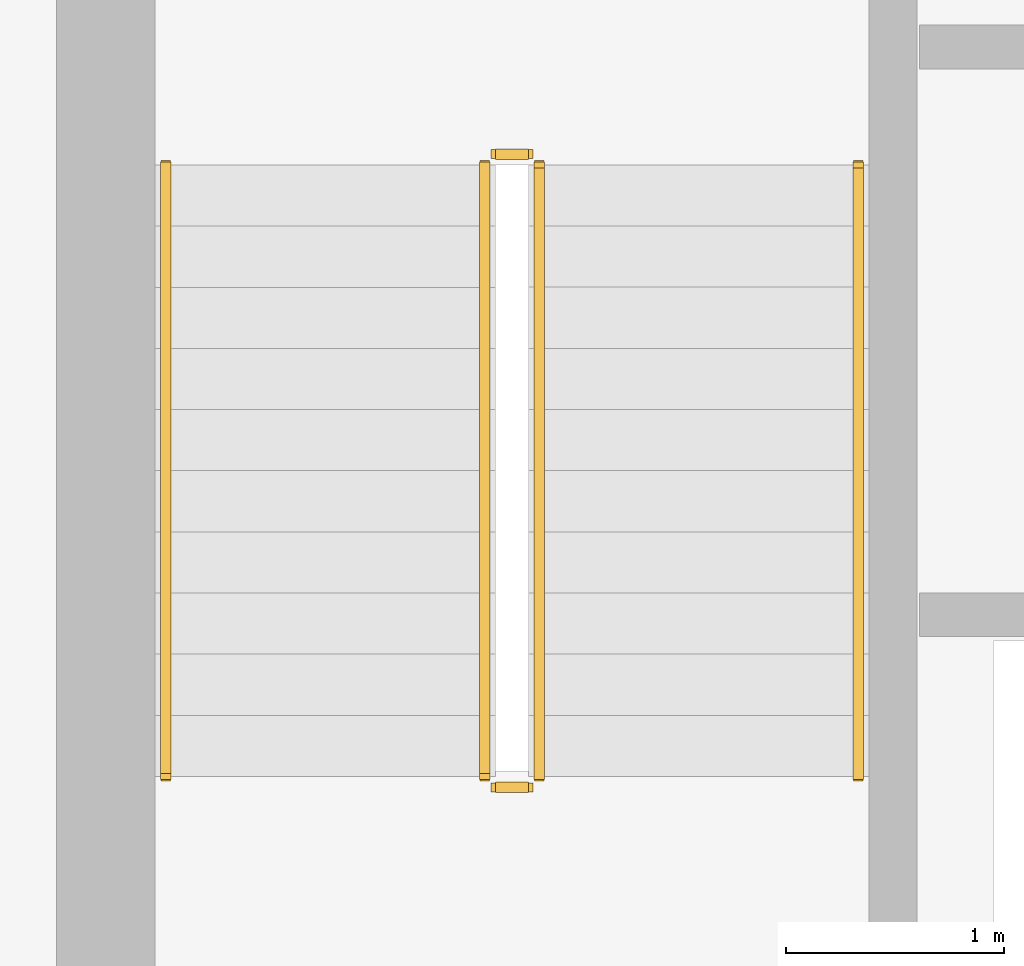
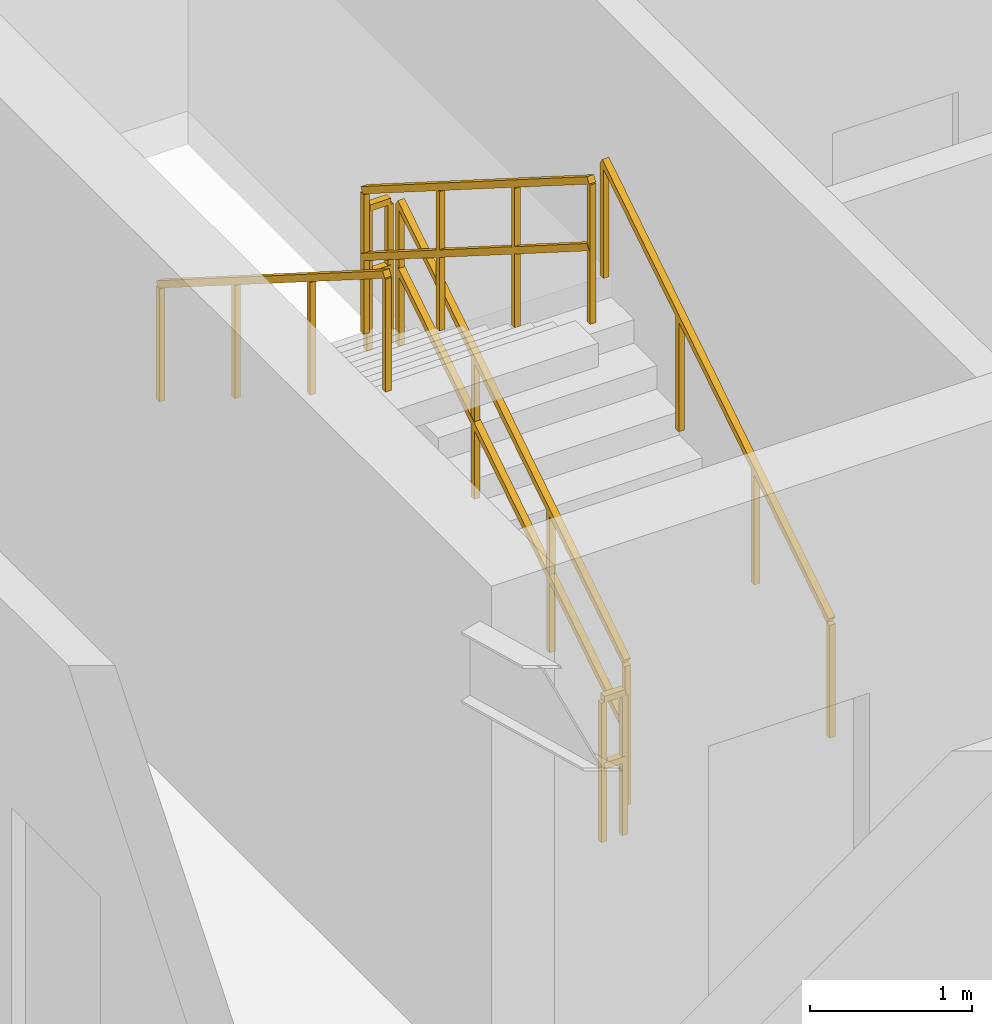
# One storey, part 12 of 15: 6 railings.
"""IFC4 building model written with IfcOpenShell, lengths in metres."""

from ifc_helpers import new_model, si_unit, direction, frame, origin, origin_2d, place, context, subcontext, project, spatial, rectangle, extrude, material, type_object, element, save


model = new_model("IFC4")

# Units and contexts
model_context = context("Model", 3, precision=1e-05, world=origin(), true_north=direction((0.0, 1.0)))
body_context = subcontext(model_context, "Body", "Model", "MODEL_VIEW")
ifc_project = project(units=[si_unit("LENGTHUNIT", "METRE"), si_unit("AREAUNIT", "SQUARE_METRE"), si_unit("VOLUMEUNIT", "CUBIC_METRE"), si_unit("PLANEANGLEUNIT", "RADIAN"), si_unit("MASSUNIT", "GRAM", prefix="KILO")], contexts=[model_context])

# Site, building, storey
site_placement = place(None, origin())
site = spatial("IfcSite", under=ifc_project, at=site_placement, CompositionType="ELEMENT")
building_placement = place(site_placement, origin())
building = spatial("IfcBuilding", under=site, at=building_placement, Name="Breltana Convention Tower", CompositionType="ELEMENT")
storey_placement = place(building_placement, frame((0.0, 0.0, 231.300048828125)))
storey = spatial("IfcBuildingStorey", under=building, at=storey_placement, Name="L56", CompositionType="ELEMENT", Elevation=231.300048828125)

# Railings
ifc_material_1 = material(Name="Steel S275 Painted", Category="steel")
railing_type_1 = type_object("IfcRailingType", Name="RL-STAIR-GUARD-1100", PredefinedType="GUARDRAIL", material=ifc_material_1)
railing_1_placement = place(storey_placement, frame((38.9599609375, 62.360107421875, 0.17724609375)))
element("IfcRailing", 1, at=railing_1_placement, inside=storey, type_object=railing_type_1, Name="L56 ST-1 stair guard 1", PredefinedType="GUARDRAIL", context=body_context, shape_type="SweptSolid", body=[
    extrude(rectangle(XDim=0.048095703125, YDim=0.048095703125, at=origin_2d()), frame((0.0, 0.0, 1.076171875), z_axis=(0.0, 0.844887892834, 0.53494340686), x_axis=(-1.0, 0.0, 0.0)), (0.0, 0.0, 1.0), 3.313720703125),
    extrude(rectangle(XDim=0.048095703125, YDim=0.048095703125, at=origin_2d()), frame((0.0, 0.0, 0.572021484375), z_axis=(0.0, 0.844887892834, 0.53494340686), x_axis=(-1.0, 0.0, 0.0)), (0.0, 0.0, 1.0), 3.313720703125),
    extrude(rectangle(XDim=0.0419921875, YDim=0.0419921875, at=origin_2d()), origin(), (0.0, 0.0, 1.0), 1.052001953125),
    extrude(rectangle(XDim=0.0419921875, YDim=0.0419921875, at=origin_2d()), frame((0.0, 0.933349609375, 0.5908203125)), (0.0, 0.0, 1.0), 1.052001953125),
    extrude(rectangle(XDim=0.0419921875, YDim=0.0419921875, at=origin_2d()), frame((0.0, 1.866455078125, 1.181884765625)), (0.0, 0.0, 1.0), 1.052001953125),
    extrude(rectangle(XDim=0.0419921875, YDim=0.0419921875, at=origin_2d()), frame((0.0, 2.7998046875, 1.772705078125)), (0.0, 0.0, 1.0), 1.052001953125),
])
railing_2_placement = place(storey_placement, frame((38.909912109375, 65.2099609375, 1.949951171875)))
element("IfcRailing", 2, at=railing_2_placement, inside=storey, type_object=railing_type_1, Name="L56 ST-1 stair guard 2", PredefinedType="GUARDRAIL", context=body_context, shape_type="SweptSolid", body=[
    extrude(rectangle(XDim=0.048095703125, YDim=0.048095703125, at=origin_2d()), frame((0.0, 0.0, 1.076171875), z_axis=(-1.0, 0.0, 0.0), x_axis=(0.0, -1.0, 0.0)), (0.0, 0.0, 1.0), 0.14990234375),
    extrude(rectangle(XDim=0.048095703125, YDim=0.048095703125, at=origin_2d()), frame((0.0, 0.0, 0.572021484375), z_axis=(-1.0, 0.0, 0.0), x_axis=(0.0, -1.0, 0.0)), (0.0, 0.0, 1.0), 0.14990234375),
    extrude(rectangle(XDim=0.0419921875, YDim=0.0419921875, at=origin_2d()), origin(), (0.0, 0.0, 1.0), 1.052001953125),
    extrude(rectangle(XDim=0.0419921875, YDim=0.0419921875, at=origin_2d()), frame((-0.14990234375, 0.0, 0.0)), (0.0, 0.0, 1.0), 1.052001953125),
])
railing_3_placement = place(storey_placement, frame((38.7099609375, 65.159912109375, 2.127197265625)))
element("IfcRailing", 3, at=railing_3_placement, inside=storey, type_object=railing_type_1, Name="L56 ST-1 stair guard 3", PredefinedType="GUARDRAIL", context=body_context, shape_type="SweptSolid", body=[
    extrude(rectangle(XDim=0.048095703125, YDim=0.048095703125, at=origin_2d()), frame((0.0, 0.0, 1.076171875), z_axis=(0.0, -0.844887892834, 0.53494340686), x_axis=(1.0, 0.0, 0.0)), (0.0, 0.0, 1.0), 3.313720703125),
    extrude(rectangle(XDim=0.048095703125, YDim=0.048095703125, at=origin_2d()), frame((0.0, 0.0, 0.572021484375), z_axis=(0.0, -0.844887892834, 0.53494340686), x_axis=(1.0, 0.0, 0.0)), (0.0, 0.0, 1.0), 3.313720703125),
    extrude(rectangle(XDim=0.0419921875, YDim=0.0419921875, at=origin_2d()), origin(), (0.0, 0.0, 1.0), 1.052001953125),
    extrude(rectangle(XDim=0.0419921875, YDim=0.0419921875, at=origin_2d()), frame((0.0, -0.933349609375, 0.5908203125)), (0.0, 0.0, 1.0), 1.052001953125),
    extrude(rectangle(XDim=0.0419921875, YDim=0.0419921875, at=origin_2d()), frame((0.0, -1.866455078125, 1.181884765625)), (0.0, 0.0, 1.0), 1.052001953125),
    extrude(rectangle(XDim=0.0419921875, YDim=0.0419921875, at=origin_2d()), frame((0.0, -2.7998046875, 1.772705078125)), (0.0, 0.0, 1.0), 1.052001953125),
])
railing_4_placement = place(storey_placement, frame((38.909912109375, 62.31005859375, 0.0)))
element("IfcRailing", 4, at=railing_4_placement, inside=storey, type_object=railing_type_1, Name="L56 ST-1 stair guard 4", PredefinedType="GUARDRAIL", context=body_context, shape_type="SweptSolid", body=[
    extrude(rectangle(XDim=0.048095703125, YDim=0.048095703125, at=origin_2d()), frame((0.0, 0.0, 1.076171875), z_axis=(-1.0, 0.0, 0.0), x_axis=(0.0, -1.0, 0.0)), (0.0, 0.0, 1.0), 0.14990234375),
    extrude(rectangle(XDim=0.048095703125, YDim=0.048095703125, at=origin_2d()), frame((0.0, 0.0, 0.572021484375), z_axis=(-1.0, 0.0, 0.0), x_axis=(0.0, -1.0, 0.0)), (0.0, 0.0, 1.0), 0.14990234375),
    extrude(rectangle(XDim=0.0419921875, YDim=0.0419921875, at=origin_2d()), origin(), (0.0, 0.0, 1.0), 1.052001953125),
    extrude(rectangle(XDim=0.0419921875, YDim=0.0419921875, at=origin_2d()), frame((-0.14990234375, 0.0, 0.0)), (0.0, 0.0, 1.0), 1.052001953125),
])
ifc_material_2 = material(Name="Stainless Steel 316L", Category="steel")
railing_type_2 = type_object("IfcRailingType", Name="RL-STAIR-HANDRAIL-900", PredefinedType="HANDRAIL", material=ifc_material_2)
railing_5_placement = place(storey_placement, frame((40.419921875, 62.360107421875, 0.17724609375)))
element("IfcRailing", 5, at=railing_5_placement, inside=storey, type_object=railing_type_2, Name="L56 ST-1 stair handrail 1", PredefinedType="HANDRAIL", context=body_context, shape_type="SweptSolid", body=[
    extrude(rectangle(XDim=0.048095703125, YDim=0.048095703125, at=origin_2d()), frame((0.0, 0.0, 0.8759765625), z_axis=(0.0, 0.844887892834, 0.53494340686), x_axis=(-1.0, 0.0, 0.0)), (0.0, 0.0, 1.0), 3.313720703125),
    extrude(rectangle(XDim=0.0419921875, YDim=0.0419921875, at=origin_2d()), origin(), (0.0, 0.0, 1.0), 0.851806640625),
    extrude(rectangle(XDim=0.0419921875, YDim=0.0419921875, at=origin_2d()), frame((0.0, 0.933349609375, 0.5908203125)), (0.0, 0.0, 1.0), 0.851806640625),
    extrude(rectangle(XDim=0.0419921875, YDim=0.0419921875, at=origin_2d()), frame((0.0, 1.866455078125, 1.181884765625)), (0.0, 0.0, 1.0), 0.851806640625),
    extrude(rectangle(XDim=0.0419921875, YDim=0.0419921875, at=origin_2d()), frame((0.0, 2.7998046875, 1.772705078125)), (0.0, 0.0, 1.0), 0.851806640625),
])
railing_6_placement = place(storey_placement, frame((37.25, 65.159912109375, 2.127197265625)))
element("IfcRailing", 6, at=railing_6_placement, inside=storey, type_object=railing_type_2, Name="L56 ST-1 stair handrail 2", PredefinedType="HANDRAIL", context=body_context, shape_type="SweptSolid", body=[
    extrude(rectangle(XDim=0.048095703125, YDim=0.048095703125, at=origin_2d()), frame((0.0, 0.0, 0.8759765625), z_axis=(0.0, -0.844887892834, 0.53494340686), x_axis=(1.0, 0.0, 0.0)), (0.0, 0.0, 1.0), 3.313720703125),
    extrude(rectangle(XDim=0.0419921875, YDim=0.0419921875, at=origin_2d()), origin(), (0.0, 0.0, 1.0), 0.851806640625),
    extrude(rectangle(XDim=0.0419921875, YDim=0.0419921875, at=origin_2d()), frame((0.0, -0.933349609375, 0.5908203125)), (0.0, 0.0, 1.0), 0.851806640625),
    extrude(rectangle(XDim=0.0419921875, YDim=0.0419921875, at=origin_2d()), frame((0.0, -1.866455078125, 1.181884765625)), (0.0, 0.0, 1.0), 0.851806640625),
    extrude(rectangle(XDim=0.0419921875, YDim=0.0419921875, at=origin_2d()), frame((0.0, -2.7998046875, 1.772705078125)), (0.0, 0.0, 1.0), 0.851806640625),
])

save(model, "model.ifc")
